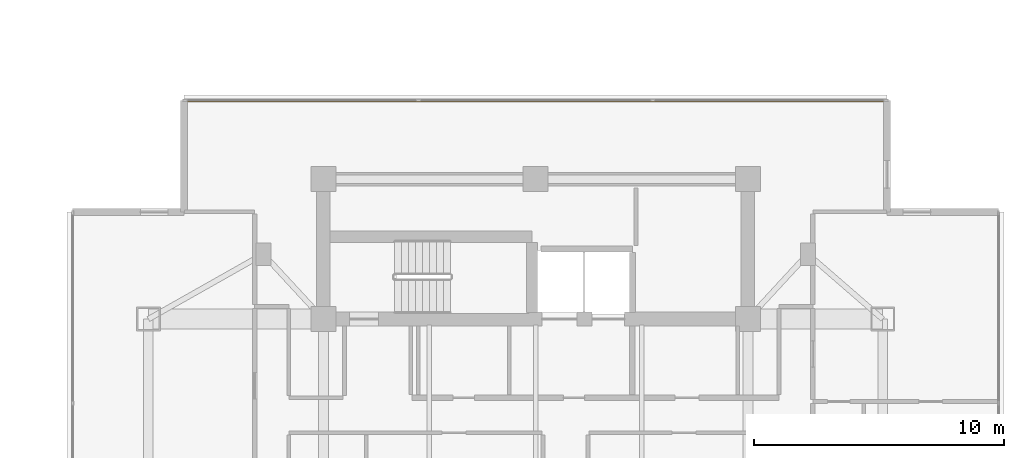
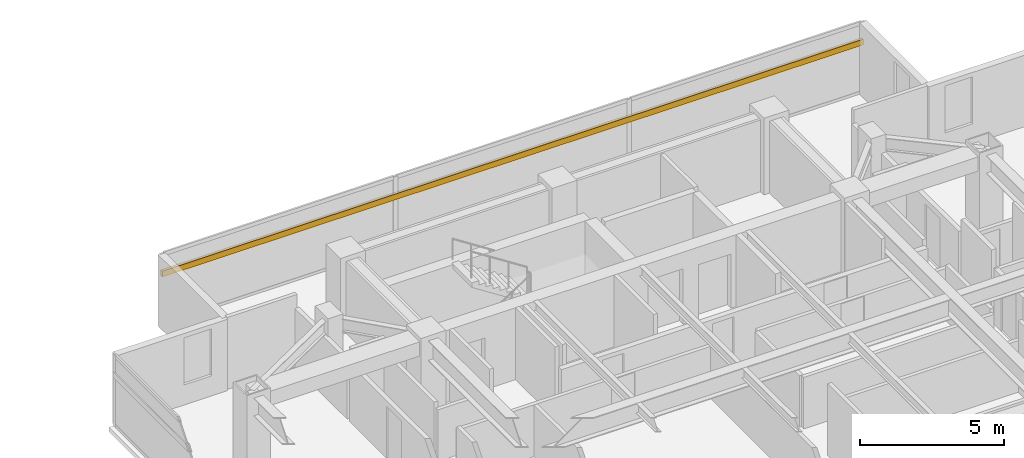
# One storey, part 25 of 25: 1 shading device.
"""IFC4 building model written with IfcOpenShell, lengths in metres."""

import ifcopenshell
import ifcopenshell.guid

model = None  # the IFC model being written
_history = None  # IfcOwnerHistory: only IFC2X3 demands one
_inside = {}  # id of a spatial element -> (the spatial element, [elements in it])
_under = {}  # id of a project, library or spatial element -> (it, [spatial elements below it])
_declared = {}  # id of a project -> (the project, [libraries it declares])
_typed = {}  # id of a type object -> (the type object, [elements of that type])
_made_of = {}  # id of a material, layer set ... -> (it, [elements and type objects made of it])


def new_model(schema):
    """Start an empty IFC model of exactly this schema.

    Asked for "IFC4X3", IfcOpenShell would pick the latest addendum, in which some entities
    have other attributes; the version numbers below select the first issue.
    IFC2X3 requires an IfcOwnerHistory on every rooted entity: one is made here for all.
    """
    global model, _history
    if schema == "IFC4X3":
        model = ifcopenshell.file(schema_version=(4, 3, 0, 0))
    else:
        model = ifcopenshell.file(schema=schema)
    _inside.clear()
    _under.clear()
    _declared.clear()
    _typed.clear()
    _made_of.clear()
    _history = None
    if model.schema == "IFC2X3":
        org = make("IfcOrganization", Name="unknown")
        user = make(
            "IfcPersonAndOrganization",
            ThePerson=make("IfcPerson", FamilyName="unknown"),
            TheOrganization=org,
        )
        app = make(
            "IfcApplication",
            ApplicationDeveloper=org,
            Version="unknown",
            ApplicationFullName="unknown",
            ApplicationIdentifier="unknown",
        )
        _history = make(
            "IfcOwnerHistory",
            OwningUser=user,
            OwningApplication=app,
            ChangeAction="ADDED",
            CreationDate=0,
        )
    return model


def make(cls, **values):
    """One entity of the class cls with the attributes given. An attribute that is None is left unset."""
    return model.create_entity(
        cls, **{name: value for name, value in values.items() if value is not None}
    )


def rooted(cls, **values):
    """An entity with a GlobalId (a new one), such as an element, a storey or a relation."""
    return make(cls, GlobalId=ifcopenshell.guid.new(), OwnerHistory=_history, **values)


def si_unit(unit_type, name, prefix=None):
    """IfcSIUnit, for example si_unit("LENGTHUNIT", "METRE", prefix="MILLI")."""
    return make("IfcSIUnit", UnitType=unit_type, Prefix=prefix, Name=name)


def assignment(units):
    """IfcUnitAssignment: the units of a project."""
    return None if units is None else make("IfcUnitAssignment", Units=units)


def point(xyz):
    """IfcCartesianPoint."""
    return None if xyz is None else make("IfcCartesianPoint", Coordinates=xyz)


def direction(xyz):
    """IfcDirection."""
    return None if xyz is None else make("IfcDirection", DirectionRatios=xyz)


def frame(location, z_axis=None, x_axis=None):
    """IfcAxis2Placement3D, a coordinate frame: its origin and axes. An axis left out is left unset."""
    return make(
        "IfcAxis2Placement3D",
        Location=point(location),
        Axis=direction(z_axis),
        RefDirection=direction(x_axis),
    )


def frame_2d(location, x_axis=None):
    """IfcAxis2Placement2D, a coordinate frame in the plane: its origin and x axis."""
    return make(
        "IfcAxis2Placement2D", Location=point(location), RefDirection=direction(x_axis)
    )


def origin():
    """The frame at (0, 0, 0) with its axes left unset."""
    return frame((0.0, 0.0, 0.0))


def origin_2d():
    """The frame at (0, 0) in the plane with its x axis left unset."""
    return frame_2d((0.0, 0.0))


def place(relative_to, where):
    """IfcLocalPlacement: puts the frame where relative to a parent placement (None: the world)."""
    return make(
        "IfcLocalPlacement", PlacementRelTo=relative_to, RelativePlacement=where
    )


def context(
    kind, dimensions, precision=None, world=None, true_north=None, identifier=None
):
    """IfcGeometricRepresentationContext, for example the 3D "Model" context."""
    return make(
        "IfcGeometricRepresentationContext",
        ContextIdentifier=identifier,
        ContextType=kind,
        CoordinateSpaceDimension=dimensions,
        Precision=precision,
        WorldCoordinateSystem=world,
        TrueNorth=true_north,
    )


def subcontext(parent, identifier, kind, view, scale=None):
    """IfcGeometricRepresentationSubContext, for example "Body" below "Model"."""
    return make(
        "IfcGeometricRepresentationSubContext",
        ContextIdentifier=identifier,
        ContextType=kind,
        ParentContext=parent,
        TargetScale=scale,
        TargetView=view,
    )


def project(units=None, contexts=None):
    """IfcProject with its units and contexts."""
    return rooted(
        "IfcProject",
        Name="project",
        RepresentationContexts=contexts,
        UnitsInContext=assignment(units),
    )


def spatial(cls, under=None, at=None, **own):
    """A site, building, storey or space (cls), placed at a placement, below another one or the project."""
    s = rooted(cls, ObjectPlacement=at, **own)
    if under is not None:
        _under.setdefault(under.id(), (under, []))[1].append(s)
    return s


def profile(cls, at=None, kind="AREA", **sizes):
    """A parametric profile (cls). Its sizes go by their IFC names, for example OverallWidth=200.0."""
    return make(cls, ProfileType=kind, Position=at, **sizes)


def rectangle(**sizes):
    """IfcRectangleProfileDef."""
    return profile("IfcRectangleProfileDef", **sizes)


def extrude(swept, where, along, depth):
    """IfcExtrudedAreaSolid: the profile swept, set in the frame where, extruded along a direction by depth."""
    return make(
        "IfcExtrudedAreaSolid",
        SweptArea=swept,
        Position=where,
        ExtrudedDirection=direction(along),
        Depth=depth,
    )


def shape(context_of_items, identifier, shape_type, items):
    """IfcShapeRepresentation: the items that make up one representation, for example the "Body"."""
    return make(
        "IfcShapeRepresentation",
        ContextOfItems=context_of_items,
        RepresentationIdentifier=identifier,
        RepresentationType=shape_type,
        Items=items,
    )


def material(Name=None, Category=None):
    """IfcMaterial."""
    return make("IfcMaterial", Name=Name, Category=Category)


def material_profile(
    of_material, cross_section, Name=None, Category=None, Priority=None
):
    """IfcMaterialProfile: a cross section and its material."""
    return make(
        "IfcMaterialProfile",
        Name=Name,
        Material=of_material,
        Profile=cross_section,
        Priority=Priority,
        Category=Category,
    )


def profile_set(profiles, Name=None, composite=None):
    """IfcMaterialProfileSet."""
    return make(
        "IfcMaterialProfileSet",
        Name=Name,
        MaterialProfiles=profiles,
        CompositeProfile=composite,
    )


def made_of(thing, what):
    """Note that an element or type object is made of a material, layer set ...; save() writes the relation."""
    if what is not None:
        _made_of.setdefault(what.id(), (what, []))[1].append(thing)
    return thing


def type_object(cls, material=None, **own):
    """A type object (cls), such as IfcWallType, which elements share."""
    return made_of(rooted(cls, **own), material)


def element(
    cls,
    number,
    at=None,
    inside=None,
    cuts=None,
    type_object=None,
    material=None,
    context=None,
    identifier="Body",
    shape_type=None,
    held_by="IfcProductDefinitionShape",
    body=None,
    shapes=None,
    **own,
):
    """One element of the class cls, such as IfcWall. Its Tag is "e" and its number.

    at: its placement. inside: the storey or other place that contains it. cuts: it is an
    opening in that element (IfcRelVoidsElement). A single representation is given by context,
    identifier, shape_type and body (its items); several are given by shapes. held_by: the class
    of the entity that holds the representations. save() writes the other relations.
    """
    e = rooted(cls, Tag="e%d" % number, ObjectPlacement=at, **own)
    if body is not None:
        shapes = [shape(context, identifier, shape_type, body)]
    if shapes is not None:
        e.Representation = make(held_by, Representations=shapes)
    if inside is not None:
        _inside.setdefault(inside.id(), (inside, []))[1].append(e)
    if cuts is not None:
        rooted(
            "IfcRelVoidsElement", RelatingBuildingElement=cuts, RelatedOpeningElement=e
        )
    if type_object is not None:
        _typed.setdefault(type_object.id(), (type_object, []))[1].append(e)
    return made_of(e, material)


def aggregate(whole, parts):
    """IfcRelAggregates: a whole, such as a stair, and the parts it consists of."""
    return rooted("IfcRelAggregates", RelatingObject=whole, RelatedObjects=parts)


def save(model, path):
    """Write the relations noted so far, then the file.

    IfcRelAggregates (storeys below a building ...), IfcRelContainedInSpatialStructure (elements
    in a storey), IfcRelDefinesByType, IfcRelAssociatesMaterial and IfcRelDeclares: one each for
    every whole, place, type object, material and project.
    """
    for whole, parts in _under.values():
        aggregate(whole, parts)
    for where, things in _inside.values():
        rooted(
            "IfcRelContainedInSpatialStructure",
            RelatedElements=things,
            RelatingStructure=where,
        )
    for kind, things in _typed.values():
        rooted("IfcRelDefinesByType", RelatedObjects=things, RelatingType=kind)
    for what, things in _made_of.values():
        rooted("IfcRelAssociatesMaterial", RelatedObjects=things, RelatingMaterial=what)
    for by, libraries in _declared.values():
        rooted("IfcRelDeclares", RelatingContext=by, RelatedDefinitions=libraries)
    model.write(path)


model = new_model("IFC4")

# Units and contexts
model_context = context("Model", 3, precision=1e-05, world=origin(), true_north=direction((0.0, 1.0)))
body_context = subcontext(model_context, "Body", "Model", "MODEL_VIEW")
ifc_project = project(units=[si_unit("LENGTHUNIT", "METRE"), si_unit("AREAUNIT", "SQUARE_METRE"), si_unit("VOLUMEUNIT", "CUBIC_METRE"), si_unit("PLANEANGLEUNIT", "RADIAN"), si_unit("MASSUNIT", "GRAM", prefix="KILO")], contexts=[model_context])

# Site, building, storey
site_placement = place(None, origin())
site = spatial("IfcSite", under=ifc_project, at=site_placement, CompositionType="ELEMENT")
building_placement = place(site_placement, origin())
building = spatial("IfcBuilding", under=site, at=building_placement, Name="Mirazonda Arch Towers", CompositionType="ELEMENT")
storey_placement = place(building_placement, frame((0.0, 0.0, 180.39990234375)))
storey = spatial("IfcBuildingStorey", under=building, at=storey_placement, Name="L51", CompositionType="ELEMENT", Elevation=180.39990234375)

# Shading device
ifc_material = material(Name="Kiln-Fired Architectural Terracotta", Category="masonry")
ifc_material_profile = material_profile(ifc_material, rectangle(XDim=0.1201171875, YDim=0.239990234375, at=origin_2d()), Name="TERRA-BAG-120x240")
ifc_profile_set = profile_set([ifc_material_profile], Name="Kiln-Fired Architectural Terracotta")
shading_device_type = type_object("IfcShadingDeviceType", Name="BAGUETTE-1", PredefinedType="USERDEFINED", material=ifc_profile_set)
shading_device_placement = place(storey_placement, frame((62.4287109375, 43.9580078125, 2.181640625), z_axis=(1.0, 0.0, 0.0), x_axis=(0.0, 1.0, 0.0)))
element("IfcShadingDevice", 1, at=shading_device_placement, inside=storey, type_object=shading_device_type, Name="L51 Glazed Terracotta Sun-Screen Baguette CW-L51-T2-N", ObjectType="BAGUETTE", PredefinedType="USERDEFINED", context=body_context, shape_type="SweptSolid", body=[
    extrude(rectangle(XDim=0.1201171875, YDim=0.239990234375, at=origin_2d()), origin(), (0.0, 0.0, 1.0), 28.142578125),
])

save(model, "model.ifc")
